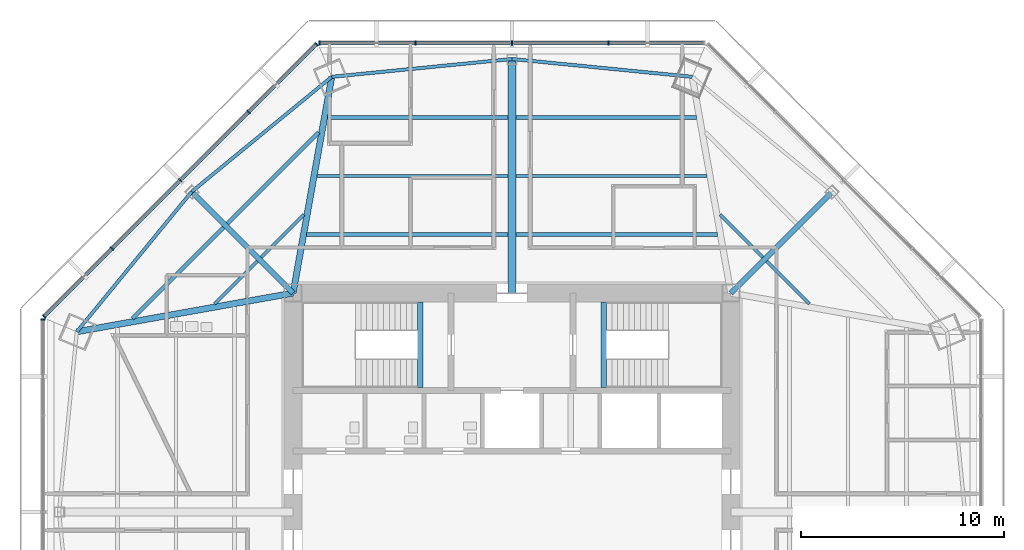
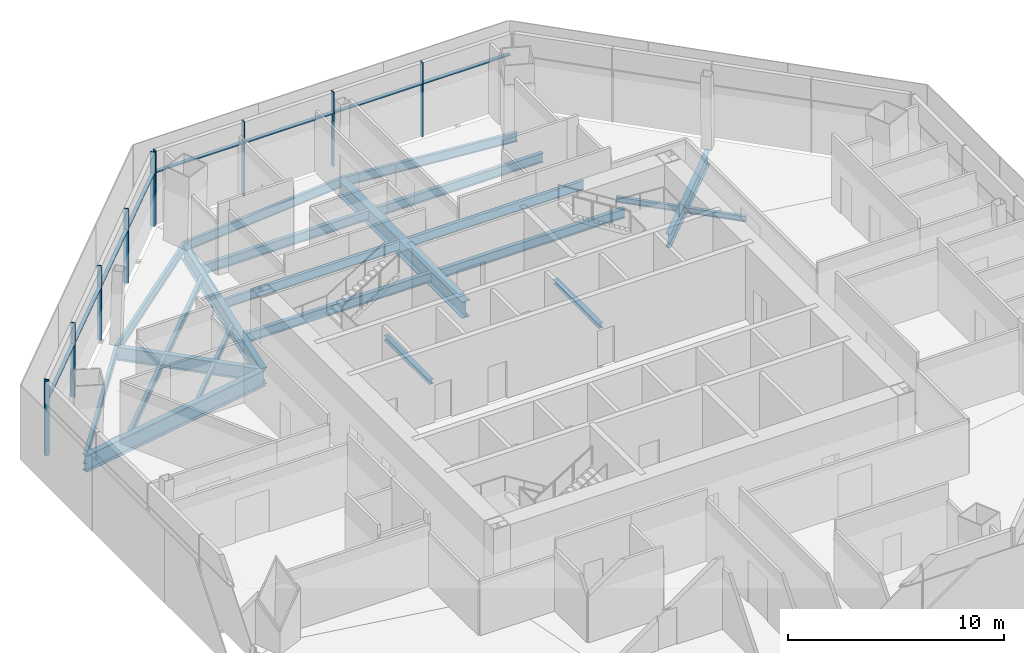
# One storey, part 5 of 15: 23 beams, 18 members, 3 elements without a shape of their own.
"""IFC4 building model written with IfcOpenShell, lengths in metres."""

from ifc_helpers import new_model, si_unit, direction, frame, origin, origin_2d, place, context, subcontext, project, spatial, rectangle, i_section, extrude, source, transform, mapped, material, material_profile, profile_set, type_object, type_shapes, element, aggregate, save


model = new_model("IFC4")

# Units and contexts
model_context = context("Model", 3, precision=1e-05, world=origin(), true_north=direction((0.0, 1.0)))
body_context = subcontext(model_context, "Body", "Model", "MODEL_VIEW")
ifc_project = project(units=[si_unit("LENGTHUNIT", "METRE"), si_unit("AREAUNIT", "SQUARE_METRE"), si_unit("VOLUMEUNIT", "CUBIC_METRE"), si_unit("PLANEANGLEUNIT", "RADIAN"), si_unit("MASSUNIT", "GRAM", prefix="KILO")], contexts=[model_context])

# Site, building, storey
site_placement = place(None, origin())
site = spatial("IfcSite", under=ifc_project, at=site_placement, CompositionType="ELEMENT")
building_placement = place(site_placement, origin())
building = spatial("IfcBuilding", under=site, at=building_placement, Name="Mashrafa Tower", CompositionType="ELEMENT")
storey_placement = place(building_placement, frame((0.0, 0.0, 172.199951171875)))
storey = spatial("IfcBuildingStorey", under=building, at=storey_placement, Name="L39", CompositionType="ELEMENT", Elevation=172.199951171875)

# Beams
ifc_material_1 = material(Name="Steel ASTM A992", Category="steel")
ifc_material_profile_1 = material_profile(ifc_material_1, i_section(OverallWidth=0.164794921875, OverallDepth=0.309814453125, WebThickness=0.005859375, FlangeThickness=0.009765625, FilletRadius=0.007568359375, at=origin_2d()), Name="W12X26")
ifc_profile_set_1 = profile_set([ifc_material_profile_1], Name="Steel ASTM A992")
beam_type_1 = type_object("IfcBeamType", Name="Beam W12X26", PredefinedType="BEAM", material=ifc_profile_set_1)
for number, where, z_axis, x_axis, name in (
    (1, (-14.670654296875, 10.264404296875, -0.31982421875), (0.707106781187, 0.707106781187, 0.0), (-0.707106781187, 0.707106781187, 0.0), "Floor beam L39 006"),
    (2, (-12.373291015625, 12.561767578125, -0.31982421875), (0.707106781187, 0.707106781187, 0.0), (-0.707106781187, 0.707106781187, 0.0), "Floor beam L39 012"),
    (3, (10.264404296875, 14.670654296875, -0.31982421875), (0.707106781187, -0.707106781187, 0.0), (0.707106781187, 0.707106781187, 0.0), "Floor beam L39 027"),
    (4, (12.561767578125, 12.373291015625, -0.31982421875), (0.707106781187, -0.707106781187, 0.0), (0.707106781187, 0.707106781187, 0.0), "Floor beam L39 030"),
):
    element("IfcBeam", number, at=place(storey_placement, frame(where, z_axis=z_axis, x_axis=x_axis)), inside=storey, type_object=beam_type_1, Name=name, PredefinedType="BEAM", context=body_context, shape_type="SweptSolid", body=[
        extrude(i_section(OverallWidth=0.164794921875, OverallDepth=0.309814453125, WebThickness=0.005859375, FlangeThickness=0.009765625, FilletRadius=0.007568359375, at=origin_2d()), origin(), (0.0, 0.0, 1.0), 2.982421875),
    ])
ifc_material_2 = material(Name="Steel ASTM A992", Category="steel")
ifc_material_profile_2 = material_profile(ifc_material_2, i_section(OverallWidth=0.177734375, OverallDepth=0.406494140625, WebThickness=0.0078125, FlangeThickness=0.012939453125, FilletRadius=0.01025390625, at=origin_2d()), Name="W16X40")
ifc_profile_set_2 = profile_set([ifc_material_profile_2], Name="Steel ASTM A992")
beam_type_2 = type_object("IfcBeamType", Name="Beam W16X40", PredefinedType="BEAM", material=ifc_profile_set_2)
for number, where, z_axis, x_axis, name in (
    (5, (-18.731201171875, 9.538818359375, -0.3681640625), (0.707106781187, 0.707106781187, 0.0), (-0.707106781187, 0.707106781187, 0.0), "Floor beam L39 003"),
    (6, (-14.040771484375, 14.229248046875, -0.3681640625), (0.707106781187, 0.707106781187, 0.0), (-0.707106781187, 0.707106781187, 0.0), "Floor beam L39 008"),
):
    element("IfcBeam", number, at=place(storey_placement, frame(where, z_axis=z_axis, x_axis=x_axis)), inside=storey, type_object=beam_type_2, Name=name, PredefinedType="BEAM", context=body_context, shape_type="SweptSolid", body=[
        extrude(i_section(OverallWidth=0.177734375, OverallDepth=0.406494140625, WebThickness=0.0078125, FlangeThickness=0.012939453125, FilletRadius=0.01025390625, at=origin_2d()), origin(), (0.0, 0.0, 1.0), 6.36669921875),
    ])
ifc_material_3 = material(Name="Steel ASTM A992", Category="steel")
ifc_material_profile_3 = material_profile(ifc_material_3, i_section(OverallWidth=0.1650390625, OverallDepth=0.52587890625, WebThickness=0.0087890625, FlangeThickness=0.011474609375, FilletRadius=0.0126953125, at=origin_2d()), Name="W21X44")
ifc_profile_set_3 = profile_set([ifc_material_profile_3], Name="Steel ASTM A992")
beam_type_3 = type_object("IfcBeamType", Name="Beam W21X44", PredefinedType="BEAM", material=ifc_profile_set_3)
for number, where, z_axis, x_axis, name in (
    (7, (-9.612060546875, 16.573974609375, -0.427734375), (1.0, 0.0, 0.0), (0.0, 1.0, 0.0), "Floor beam L39 015"),
    (8, (0.20947265625, 16.573974609375, -0.427734375), (1.0, 0.0, 0.0), (0.0, 1.0, 0.0), "Floor beam L39 022"),
):
    element("IfcBeam", number, at=place(storey_placement, frame(where, z_axis=z_axis, x_axis=x_axis)), inside=storey, type_object=beam_type_3, Name=name, PredefinedType="BEAM", context=body_context, shape_type="SweptSolid", body=[
        extrude(i_section(OverallWidth=0.1650390625, OverallDepth=0.52587890625, WebThickness=0.0087890625, FlangeThickness=0.011474609375, FilletRadius=0.0126953125, at=origin_2d()), origin(), (0.0, 0.0, 1.0), 9.402587890625),
    ])
for number, where, z_axis, x_axis, name in (
    (9, (-15.802490234375, 15.802490234375, -0.427734375), (-0.634196870214, -0.773171604374, 0.0), (0.773171604374, -0.634196870214, 0.0), "Spandrel beam L39 061"),
    (10, (-8.89306640625, 21.469970703125, -0.427734375), (-0.773171604374, -0.634196870214, 0.0), (0.634196870214, -0.773171604374, 0.0), "Spandrel beam L39 063"),
):
    element("IfcBeam", number, at=place(storey_placement, frame(where, z_axis=z_axis, x_axis=x_axis)), inside=storey, type_object=beam_type_3, Name=name, PredefinedType="BEAM", context=body_context, shape_type="SweptSolid", body=[
        extrude(i_section(OverallWidth=0.1650390625, OverallDepth=0.52587890625, WebThickness=0.0087890625, FlangeThickness=0.011474609375, FilletRadius=0.0126953125, at=origin_2d()), origin(), (0.0, 0.0, 1.0), 8.9365234375),
    ])
for number, where, z_axis, x_axis, name in (
    (11, (0.0, 22.34814453125, -0.427734375), (-0.995159771627, -0.098270183346, 0.0), (0.098270183346, -0.995159771627, 0.0), "Spandrel beam L39 065"),
    (12, (8.89306640625, 21.469970703125, -0.427734375), (-0.995159771627, 0.098270183346, 0.0), (-0.098270183346, -0.995159771627, 0.0), "Spandrel beam L39 067"),
):
    element("IfcBeam", number, at=place(storey_placement, frame(where, z_axis=z_axis, x_axis=x_axis)), inside=storey, type_object=beam_type_3, Name=name, PredefinedType="BEAM", context=body_context, shape_type="SweptSolid", body=[
        extrude(i_section(OverallWidth=0.1650390625, OverallDepth=0.52587890625, WebThickness=0.0087890625, FlangeThickness=0.011474609375, FilletRadius=0.0126953125, at=origin_2d()), origin(), (0.0, 0.0, 1.0), 8.936279296875),
    ])
ifc_material_4 = material(Name="Steel ASTM A992", Category="steel")
ifc_material_profile_4 = material_profile(ifc_material_4, i_section(OverallWidth=0.209228515625, OverallDepth=0.533447265625, WebThickness=0.01025390625, FlangeThickness=0.015625, FilletRadius=0.012939453125, at=origin_2d()), Name="W21X62")
ifc_profile_set_4 = profile_set([ifc_material_profile_4], Name="Steel ASTM A992")
beam_type_4 = type_object("IfcBeamType", Name="Beam W21X62", PredefinedType="BEAM", material=ifc_profile_set_4)
beam_1_placement = place(storey_placement, frame((-10.1279296875, 13.68701171875, -0.431640625), z_axis=(1.0, 0.0, 0.0), x_axis=(0.0, 1.0, 0.0)))
element("IfcBeam", 13, at=beam_1_placement, inside=storey, type_object=beam_type_4, Name="Floor beam L39 013", PredefinedType="BEAM", context=body_context, shape_type="SweptSolid", body=[
    extrude(i_section(OverallWidth=0.209228515625, OverallDepth=0.533447265625, WebThickness=0.01025390625, FlangeThickness=0.015625, FilletRadius=0.012939453125, at=origin_2d()), origin(), (0.0, 0.0, 1.0), 9.91845703125),
])
beam_2_placement = place(storey_placement, frame((-9.095947265625, 19.461181640625, -0.431640625), z_axis=(1.0, 0.0, 0.0), x_axis=(0.0, 1.0, 0.0)))
element("IfcBeam", 14, at=beam_2_placement, inside=storey, type_object=beam_type_4, Name="Floor beam L39 017", PredefinedType="BEAM", context=body_context, shape_type="SweptSolid", body=[
    extrude(i_section(OverallWidth=0.209228515625, OverallDepth=0.533447265625, WebThickness=0.01025390625, FlangeThickness=0.015625, FilletRadius=0.012939453125, at=origin_2d()), origin(), (0.0, 0.0, 1.0), 8.886474609375),
])
beam_3_placement = place(storey_placement, frame((0.20947265625, 13.68701171875, -0.431640625), z_axis=(1.0, 0.0, 0.0), x_axis=(0.0, 1.0, 0.0)))
element("IfcBeam", 15, at=beam_3_placement, inside=storey, type_object=beam_type_4, Name="Floor beam L39 021", PredefinedType="BEAM", context=body_context, shape_type="SweptSolid", body=[
    extrude(i_section(OverallWidth=0.209228515625, OverallDepth=0.533447265625, WebThickness=0.01025390625, FlangeThickness=0.015625, FilletRadius=0.012939453125, at=origin_2d()), origin(), (0.0, 0.0, 1.0), 9.91845703125),
])
beam_4_placement = place(storey_placement, frame((0.20947265625, 19.461181640625, -0.431640625), z_axis=(1.0, 0.0, 0.0), x_axis=(0.0, 1.0, 0.0)))
element("IfcBeam", 16, at=beam_4_placement, inside=storey, type_object=beam_type_4, Name="Floor beam L39 023", PredefinedType="BEAM", context=body_context, shape_type="SweptSolid", body=[
    extrude(i_section(OverallWidth=0.209228515625, OverallDepth=0.533447265625, WebThickness=0.01025390625, FlangeThickness=0.015625, FilletRadius=0.012939453125, at=origin_2d()), origin(), (0.0, 0.0, 1.0), 8.886474609375),
])
ifc_material_5 = material(Name="Steel ASTM A992", Category="steel")
ifc_material_profile_5 = material_profile(ifc_material_5, i_section(OverallWidth=0.2666015625, OverallDepth=0.75439453125, WebThickness=0.01318359375, FlangeThickness=0.01708984375, FilletRadius=0.0166015625, at=origin_2d()), Name="W30X99")
ifc_profile_set_5 = profile_set([ifc_material_profile_5], Name="Steel ASTM A992")
beam_type_5 = type_object("IfcBeamType", Name="Beam W30X99", PredefinedType="BEAM", material=ifc_profile_set_5)
for number, where, z_axis, x_axis, name in (
    (17, (-10.800048828125, 10.800048828125, -0.542236328125), (-0.707106781187, 0.707106781187, 0.0), (-0.707106781187, -0.707106781187, 0.0), "Radial girder L39 046"),
    (18, (10.800048828125, 10.800048828125, -0.542236328125), (0.707106781187, 0.707106781187, 0.0), (-0.707106781187, 0.707106781187, 0.0), "Radial girder L39 055"),
):
    element("IfcBeam", number, at=place(storey_placement, frame(where, z_axis=z_axis, x_axis=x_axis)), inside=storey, type_object=beam_type_5, Name=name, PredefinedType="BEAM", context=body_context, shape_type="SweptSolid", body=[
        extrude(i_section(OverallWidth=0.2666015625, OverallDepth=0.75439453125, WebThickness=0.01318359375, FlangeThickness=0.01708984375, FilletRadius=0.0166015625, at=origin_2d()), origin(), (0.0, 0.0, 1.0), 7.074462890625),
    ])
ifc_material_6 = material(Name="Steel ASTM A992", Category="steel")
ifc_material_profile_6 = material_profile(ifc_material_6, i_section(OverallWidth=0.307373046875, OverallDepth=0.927001953125, WebThickness=0.01953125, FlangeThickness=0.031982421875, FilletRadius=0.01904296875, at=origin_2d()), Name="W36X194")
ifc_profile_set_6 = profile_set([ifc_material_profile_6], Name="Steel ASTM A992")
beam_type_6 = type_object("IfcBeamType", Name="Beam W36X194", PredefinedType="BEAM", material=ifc_profile_set_6)
for number, where, z_axis, x_axis, name in (
    (19, (-10.800048828125, 10.800048828125, -0.62841796875), (-0.984401392993, -0.175937197526, 0.0), (0.175937197526, -0.984401392993, 0.0), "Radial girder L39 045"),
    (20, (-10.800048828125, 10.800048828125, -0.62841796875), (0.175937197526, 0.984401392993, 0.0), (-0.984401392993, 0.175937197526, 0.0), "Radial girder L39 047"),
):
    element("IfcBeam", number, at=place(storey_placement, frame(where, z_axis=z_axis, x_axis=x_axis)), inside=storey, type_object=beam_type_6, Name=name, PredefinedType="BEAM", context=body_context, shape_type="SweptSolid", body=[
        extrude(i_section(OverallWidth=0.307373046875, OverallDepth=0.927001953125, WebThickness=0.01953125, FlangeThickness=0.031982421875, FilletRadius=0.01904296875, at=origin_2d()), origin(), (0.0, 0.0, 1.0), 10.839111328125),
    ])
ifc_material_7 = material(Name="Steel ASTM A992", Category="steel")
ifc_material_profile_7 = material_profile(ifc_material_7, i_section(OverallWidth=0.419189453125, OverallDepth=0.927001953125, WebThickness=0.019287109375, FlangeThickness=0.031982421875, FilletRadius=0.020263671875, at=origin_2d()), Name="W36X231")
ifc_profile_set_7 = profile_set([ifc_material_profile_7], Name="Steel ASTM A992")
beam_type_7 = type_object("IfcBeamType", Name="Beam W36X231", PredefinedType="BEAM", material=ifc_profile_set_7)
beam_5_placement = place(storey_placement, frame((0.0, 10.800048828125, -0.62841796875), z_axis=(0.0, 1.0, 0.0), x_axis=(-1.0, 0.0, 0.0)))
element("IfcBeam", 21, at=beam_5_placement, inside=storey, type_object=beam_type_7, Name="Radial girder L39 049", PredefinedType="BEAM", context=body_context, shape_type="SweptSolid", body=[
    extrude(i_section(OverallWidth=0.419189453125, OverallDepth=0.927001953125, WebThickness=0.019287109375, FlangeThickness=0.031982421875, FilletRadius=0.020263671875, at=origin_2d()), origin(), (0.0, 0.0, 1.0), 11.548095703125),
])
ifc_material_8 = material(Name="Steel ASTM A992", Category="steel")
ifc_material_profile_8 = material_profile(ifc_material_8, i_section(OverallWidth=0.25390625, OverallDepth=0.25390625, WebThickness=0.008544921875, FlangeThickness=0.01416015625, FilletRadius=0.010009765625, at=origin_2d()), Name="W10X49")
ifc_profile_set_8 = profile_set([ifc_material_profile_8], Name="Steel ASTM A992")
beam_type_8 = type_object("IfcBeamType", Name="Hoistway beam W10X49", PredefinedType="BEAM", material=ifc_profile_set_8)
for number, where, z_axis, x_axis, name in (
    (22, (-4.530029296875, 6.14990234375, -0.326904296875), (0.0, 1.0, 0.0), (-1.0, 0.0, 0.0), "Stair S1 landing beam L39"),
    (23, (4.530029296875, 6.14990234375, -0.326904296875), (0.0, 1.0, 0.0), (-1.0, 0.0, 0.0), "Stair S2 landing beam L39"),
):
    element("IfcBeam", number, at=place(storey_placement, frame(where, z_axis=z_axis, x_axis=x_axis)), inside=storey, type_object=beam_type_8, Name=name, PredefinedType="BEAM", context=body_context, shape_type="SweptSolid", body=[
        extrude(i_section(OverallWidth=0.25390625, OverallDepth=0.25390625, WebThickness=0.008544921875, FlangeThickness=0.01416015625, FilletRadius=0.010009765625, at=origin_2d()), origin(), (0.0, 0.0, 1.0), 4.2001953125),
    ])

# Curtain wall, members
ifc_material_9 = material(Name="Unitised aluminium curtain wall", Category="aluminium")
curtain_wall_type = type_object("IfcCurtainWallType", Name="Office curtain wall, zone 2 CW-B 225 deep", PredefinedType="NOTDEFINED", material=ifc_material_9)
curtain_wall_1_placement = place(storey_placement, origin())
curtain_wall_1 = element("IfcCurtainWall", 24, at=curtain_wall_1_placement, inside=storey, type_object=curtain_wall_type, Name="Office curtain wall, zone 2 L39 north", PredefinedType="NOTDEFINED")
ifc_material_10 = material(Name="Extruded aluminium mullion", Category="aluminium")
ifc_material_profile_9 = material_profile(ifc_material_10, rectangle(XDim=0.22509765625, YDim=0.06494140625, at=origin_2d()), Name="Mullion 65x225")
ifc_profile_set_9 = profile_set([ifc_material_profile_9], Name="Extruded aluminium mullion")
member_type_1 = type_object("IfcMemberType", Name="Mullion CW-B 65 x 225", PredefinedType="MULLION", material=ifc_profile_set_9)
shared_shape_1 = source(origin(), body_context, "Body", "SweptSolid", [
    extrude(rectangle(XDim=0.22509765625, YDim=0.06494140625, at=origin_2d()), origin(), (0.0, 0.0, 1.0), 4.199951171875),
])
type_shapes(member_type_1, [shared_shape_1])
member_1_placement = place(storey_placement, frame((4.764892578125, 23.143310546875, 0.0), z_axis=(0.0, 0.0, 1.0), x_axis=(0.0, -1.0, 0.0)))
member_1 = element("IfcMember", 25, at=member_1_placement, type_object=member_type_1, Name="CW-B mullion 2", PredefinedType="MULLION", context=body_context, shape_type="MappedRepresentation", body=[
    mapped(shared_shape_1, transform((0.0, 0.0, 0.0))),
])
member_2_placement = place(storey_placement, frame((0.0, 23.143310546875, 0.0), z_axis=(0.0, 0.0, 1.0), x_axis=(0.0, -1.0, 0.0)))
member_2 = element("IfcMember", 26, at=member_2_placement, type_object=member_type_1, Name="CW-B mullion 3", PredefinedType="MULLION", context=body_context, shape_type="MappedRepresentation", body=[
    mapped(shared_shape_1, transform((0.0, 0.0, 0.0))),
])
member_3_placement = place(storey_placement, frame((-4.764892578125, 23.143310546875, 0.0), z_axis=(0.0, 0.0, 1.0), x_axis=(0.0, -1.0, 0.0)))
member_3 = element("IfcMember", 27, at=member_3_placement, type_object=member_type_1, Name="CW-B mullion 4", PredefinedType="MULLION", context=body_context, shape_type="MappedRepresentation", body=[
    mapped(shared_shape_1, transform((0.0, 0.0, 0.0))),
])
member_4_placement = place(storey_placement, frame((-9.497314453125, 23.143310546875, 0.0), z_axis=(0.0, 0.0, 1.0), x_axis=(0.0, -1.0, 0.0)))
member_4 = element("IfcMember", 28, at=member_4_placement, type_object=member_type_1, Name="CW-B mullion 5", PredefinedType="MULLION", context=body_context, shape_type="MappedRepresentation", body=[
    mapped(shared_shape_1, transform((0.0, 0.0, 0.0))),
])

curtain_wall_2_placement = place(storey_placement, origin())
curtain_wall_2 = element("IfcCurtainWall", 29, at=curtain_wall_2_placement, inside=storey, type_object=curtain_wall_type, Name="Office curtain wall, zone 2 L39 north-west", PredefinedType="NOTDEFINED")
member_5_placement = place(storey_placement, frame((-9.6494140625, 23.080322265625, 0.0), z_axis=(0.0, 0.0, 1.0), x_axis=(0.707106781187, -0.707106781187, 0.0)))
member_5 = element("IfcMember", 30, at=member_5_placement, type_object=member_type_1, Name="CW-B mullion 1", PredefinedType="MULLION", context=body_context, shape_type="MappedRepresentation", body=[
    mapped(shared_shape_1, transform((0.0, 0.0, 0.0))),
])
member_6_placement = place(storey_placement, frame((-12.99560546875, 19.734130859375, 0.0), z_axis=(0.0, 0.0, 1.0), x_axis=(0.707106781187, -0.707106781187, 0.0)))
member_6 = element("IfcMember", 31, at=member_6_placement, type_object=member_type_1, Name="CW-B mullion 2", PredefinedType="MULLION", context=body_context, shape_type="MappedRepresentation", body=[
    mapped(shared_shape_1, transform((0.0, 0.0, 0.0))),
])
member_7_placement = place(storey_placement, frame((-16.364990234375, 16.364990234375, 0.0), z_axis=(0.0, 0.0, 1.0), x_axis=(0.707106781187, -0.707106781187, 0.0)))
member_7 = element("IfcMember", 32, at=member_7_placement, type_object=member_type_1, Name="CW-B mullion 3", PredefinedType="MULLION", context=body_context, shape_type="MappedRepresentation", body=[
    mapped(shared_shape_1, transform((0.0, 0.0, 0.0))),
])
member_8_placement = place(storey_placement, frame((-19.734130859375, 12.99560546875, 0.0), z_axis=(0.0, 0.0, 1.0), x_axis=(0.707106781187, -0.707106781187, 0.0)))
member_8 = element("IfcMember", 33, at=member_8_placement, type_object=member_type_1, Name="CW-B mullion 4", PredefinedType="MULLION", context=body_context, shape_type="MappedRepresentation", body=[
    mapped(shared_shape_1, transform((0.0, 0.0, 0.0))),
])
member_9_placement = place(storey_placement, frame((-23.080322265625, 9.6494140625, 0.0), z_axis=(0.0, 0.0, 1.0), x_axis=(0.707106781187, -0.707106781187, 0.0)))
member_9 = element("IfcMember", 34, at=member_9_placement, type_object=member_type_1, Name="CW-B mullion 5", PredefinedType="MULLION", context=body_context, shape_type="MappedRepresentation", body=[
    mapped(shared_shape_1, transform((0.0, 0.0, 0.0))),
])

# Curtain wall, member
curtain_wall_3_placement = place(storey_placement, origin())
curtain_wall_3 = element("IfcCurtainWall", 35, at=curtain_wall_3_placement, inside=storey, type_object=curtain_wall_type, Name="Office curtain wall, zone 2 L39 west", PredefinedType="NOTDEFINED")
member_10_placement = place(storey_placement, frame((-23.143310546875, 9.497314453125, 0.0), z_axis=(0.0, 0.0, 1.0), x_axis=(1.0, 0.0, 0.0)))
member_10 = element("IfcMember", 36, at=member_10_placement, type_object=member_type_1, Name="CW-B mullion 1", PredefinedType="MULLION", context=body_context, shape_type="MappedRepresentation", body=[
    mapped(shared_shape_1, transform((0.0, 0.0, 0.0))),
])
aggregate(curtain_wall_3, [member_10])

# Member
ifc_material_11 = material(Name="Extruded aluminium transom", Category="aluminium")
ifc_material_profile_10 = material_profile(ifc_material_11, rectangle(XDim=0.179931640625, YDim=0.080078125, at=origin_2d()), Name="Transom 80x180")
ifc_profile_set_10 = profile_set([ifc_material_profile_10], Name="Extruded aluminium transom")
member_type_2 = type_object("IfcMemberType", Name="Transom CW-B 80 x 180", PredefinedType="MULLION", material=ifc_profile_set_10)
shared_shape_2 = source(origin(), body_context, "Body", "SweptSolid", [
    extrude(rectangle(XDim=0.179931640625, YDim=0.080078125, at=origin_2d()), origin(), (0.0, 0.0, 1.0), 4.667236328125),
])
member_11_placement = place(storey_placement, frame((9.464599609375, 23.143310546875, 3.0), z_axis=(-1.0, 0.0, 0.0), x_axis=(0.0, -1.0, 0.0)))
member_11 = element("IfcMember", 37, at=member_11_placement, type_object=member_type_2, Name="CW-B transom 1", PredefinedType="MULLION", context=body_context, shape_type="MappedRepresentation", body=[
    mapped(shared_shape_2, transform((0.0, 0.0, 0.0))),
])

member_12_placement = place(storey_placement, frame((-4.79736328125, 23.143310546875, 3.0), z_axis=(-1.0, 0.0, 0.0), x_axis=(0.0, -1.0, 0.0)))
member_12 = element("IfcMember", 38, at=member_12_placement, type_object=member_type_2, Name="CW-B transom 4", PredefinedType="MULLION", context=body_context, shape_type="MappedRepresentation", body=[
    mapped(shared_shape_2, transform((0.0, 0.0, 0.0))),
])

member_13_placement = place(storey_placement, frame((-9.67236328125, 23.057373046875, 3.0), z_axis=(-0.707106781187, -0.707106781187, 0.0), x_axis=(0.707106781187, -0.707106781187, 0.0)))
member_13 = element("IfcMember", 39, at=member_13_placement, type_object=member_type_2, Name="CW-B transom 1", PredefinedType="MULLION", context=body_context, shape_type="MappedRepresentation", body=[
    mapped(shared_shape_2, transform((0.0, 0.0, 0.0))),
])

member_14_placement = place(storey_placement, frame((-19.757080078125, 12.97265625, 3.0), z_axis=(-0.707106781187, -0.707106781187, 0.0), x_axis=(0.707106781187, -0.707106781187, 0.0)))
member_14 = element("IfcMember", 40, at=member_14_placement, type_object=member_type_2, Name="CW-B transom 4", PredefinedType="MULLION", context=body_context, shape_type="MappedRepresentation", body=[
    mapped(shared_shape_2, transform((0.0, 0.0, 0.0))),
])

shared_shape_3 = source(origin(), body_context, "Body", "SweptSolid", [
    extrude(rectangle(XDim=0.179931640625, YDim=0.080078125, at=origin_2d()), origin(), (0.0, 0.0, 1.0), 4.699951171875),
])
member_15_placement = place(storey_placement, frame((4.732421875, 23.143310546875, 3.0), z_axis=(-1.0, 0.0, 0.0), x_axis=(0.0, -1.0, 0.0)))
member_15 = element("IfcMember", 41, at=member_15_placement, type_object=member_type_2, Name="CW-B transom 2", PredefinedType="MULLION", context=body_context, shape_type="MappedRepresentation", body=[
    mapped(shared_shape_3, transform((0.0, 0.0, 0.0))),
])

member_16_placement = place(storey_placement, frame((-0.032470703125, 23.143310546875, 3.0), z_axis=(-1.0, 0.0, 0.0), x_axis=(0.0, -1.0, 0.0)))
member_16 = element("IfcMember", 42, at=member_16_placement, type_object=member_type_2, Name="CW-B transom 3", PredefinedType="MULLION", context=body_context, shape_type="MappedRepresentation", body=[
    mapped(shared_shape_3, transform((0.0, 0.0, 0.0))),
])

aggregate(curtain_wall_1, [member_1, member_2, member_3, member_4, member_11, member_15, member_16, member_12])

shared_shape_4 = source(origin(), body_context, "Body", "SweptSolid", [
    extrude(rectangle(XDim=0.179931640625, YDim=0.080078125, at=origin_2d()), origin(), (0.0, 0.0, 1.0), 4.69970703125),
])
type_shapes(member_type_2, [shared_shape_2, shared_shape_3, shared_shape_4])
member_17_placement = place(storey_placement, frame((-13.0185546875, 19.711181640625, 3.0), z_axis=(-0.707106781187, -0.707106781187, 0.0), x_axis=(0.707106781187, -0.707106781187, 0.0)))
member_17 = element("IfcMember", 43, at=member_17_placement, type_object=member_type_2, Name="CW-B transom 2", PredefinedType="MULLION", context=body_context, shape_type="MappedRepresentation", body=[
    mapped(shared_shape_4, transform((0.0, 0.0, 0.0))),
])

member_18_placement = place(storey_placement, frame((-16.387939453125, 16.341796875, 3.0), z_axis=(-0.707106781187, -0.707106781187, 0.0), x_axis=(0.707106781187, -0.707106781187, 0.0)))
member_18 = element("IfcMember", 44, at=member_18_placement, type_object=member_type_2, Name="CW-B transom 3", PredefinedType="MULLION", context=body_context, shape_type="MappedRepresentation", body=[
    mapped(shared_shape_4, transform((0.0, 0.0, 0.0))),
])

aggregate(curtain_wall_2, [member_5, member_6, member_7, member_8, member_9, member_13, member_17, member_18, member_14])

save(model, "model.ifc")
